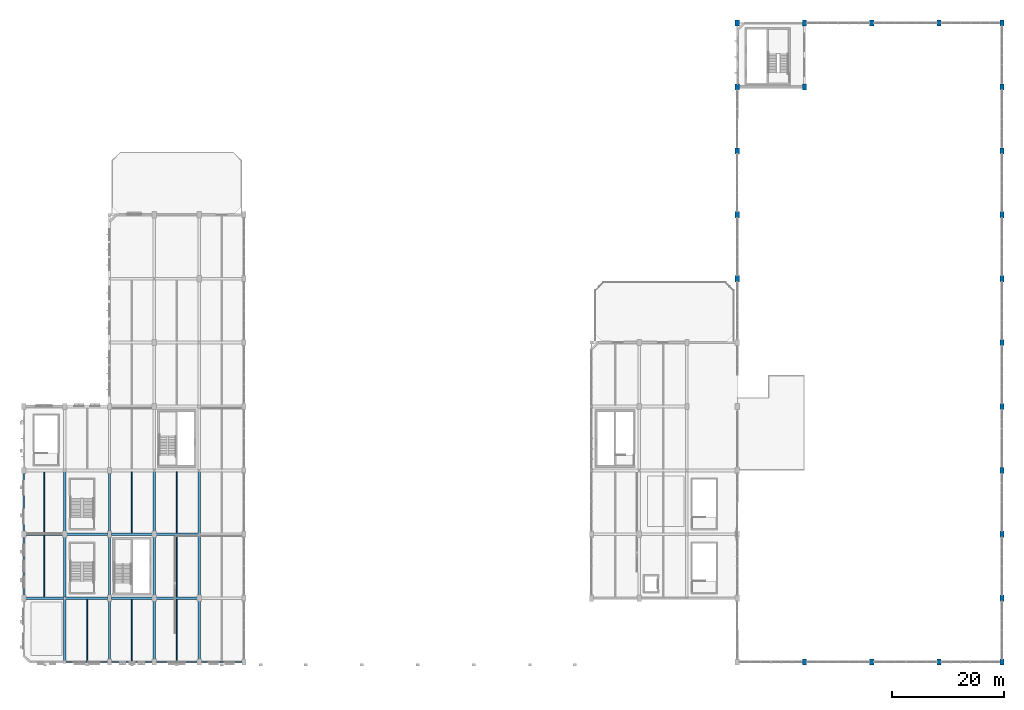
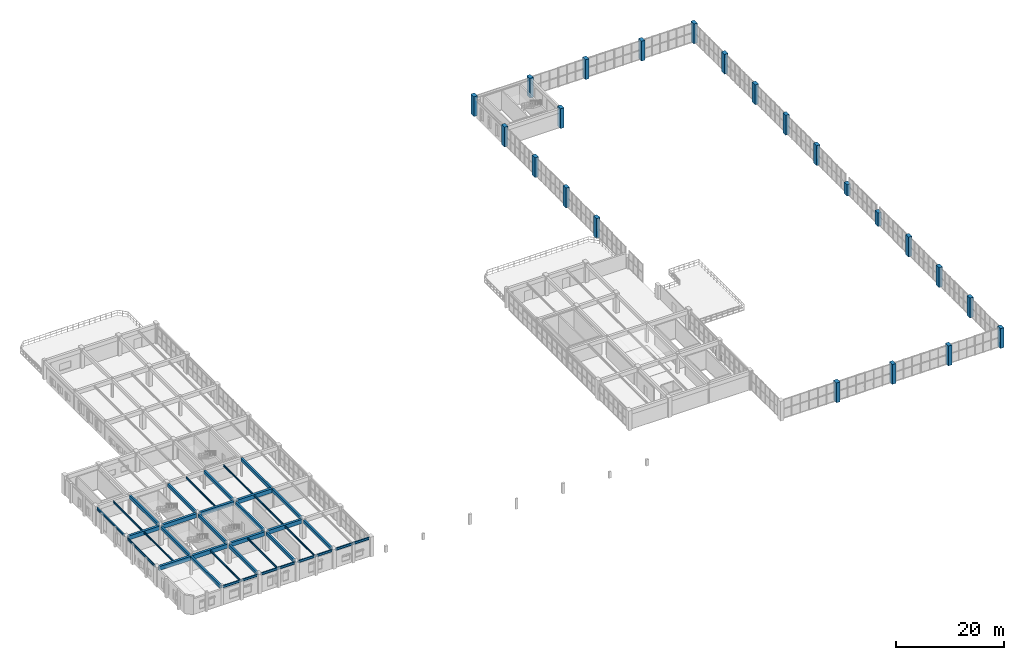
# One storey, part 9 of 80: 34 beams, 23 columns.
"""IFC4 building model written with IfcOpenShell, lengths in metres."""

from ifc_helpers import new_model, si_unit, direction, frame, origin, origin_2d, place, context, subcontext, project, spatial, rectangle, i_section, extrude, material, material_profile, profile_set, type_object, element, save


model = new_model("IFC4")

# Units and contexts
model_context = context("Model", 3, precision=1e-05, world=origin(), true_north=direction((0.0, 1.0)))
body_context = subcontext(model_context, "Body", "Model", "MODEL_VIEW")
ifc_project = project(units=[si_unit("LENGTHUNIT", "METRE"), si_unit("AREAUNIT", "SQUARE_METRE"), si_unit("VOLUMEUNIT", "CUBIC_METRE"), si_unit("PLANEANGLEUNIT", "RADIAN"), si_unit("MASSUNIT", "GRAM", prefix="KILO"), si_unit("POWERUNIT", "WATT"), si_unit("THERMODYNAMICTEMPERATUREUNIT", "KELVIN")], contexts=[model_context])

# Site, building, storey
site_placement = place(None, origin())
site = spatial("IfcSite", under=ifc_project, at=site_placement, CompositionType="ELEMENT")
building_placement = place(site_placement, origin())
building = spatial("IfcBuilding", under=site, at=building_placement, Name="Kelmbourne Parkland Aquatics Centre", CompositionType="ELEMENT")
storey_placement = place(building_placement, frame((0.0, 0.0, 10.199951171875)))
storey = spatial("IfcBuildingStorey", under=building, at=storey_placement, Name="L02", CompositionType="ELEMENT", Elevation=10.199951171875)

# Columns
ifc_material_1 = material(Name="Concrete C40/50", Category="concrete")
ifc_material_profile_1 = material_profile(ifc_material_1, rectangle(XDim=0.75, YDim=1.10009765625, at=origin_2d()), Name="RC 750x1100")
ifc_profile_set_1 = profile_set([ifc_material_profile_1], Name="Concrete C40/50")
column_type = type_object("IfcColumnType", Name="COL-C03", PredefinedType="COLUMN", material=ifc_profile_set_1)
column_1_placement = place(storey_placement, frame((128.0, 69.199951171875, 0.0), z_axis=(0.0, 0.0, 1.0), x_axis=(1.0, 0.0, 0.0)))
element("IfcColumn", 1, at=column_1_placement, inside=storey, type_object=column_type, Name="Structural column P-10 (L02)", PredefinedType="COLUMN", context=body_context, shape_type="SweptSolid", body=[
    extrude(rectangle(XDim=0.75, YDim=1.10009765625, at=origin_2d()), origin(), (0.0, 0.0, 1.0), 4.529541015625),
])
for number, where, z_axis, x_axis, name in (
    (2, (128.0, 80.60009765625, 0.0), (0.0, 0.0, 1.0), (1.0, 0.0, 0.0), "Structural column P-11 (L02)"),
    (3, (128.0, 92.0, 0.0), (0.0, 0.0, 1.0), (1.0, 0.0, 0.0), "Structural column P-12 (L02)"),
    (4, (128.0, 103.39990234375, 0.0), (0.0, 0.0, 1.0), (1.0, 0.0, 0.0), "Structural column P-13 (L02)"),
    (5, (128.0, 114.800048828125, 0.0), (0.0, 0.0, 1.0), (1.0, 0.0, 0.0), "Structural column P-14 (L02)"),
    (6, (140.0, 0.800048828125, 0.0), (0.0, 0.0, 1.0), (1.0, 0.0, 0.0), "Structural column Q-01 (L02)"),
    (7, (140.0, 103.39990234375, 0.0), (0.0, 0.0, 1.0), (1.0, 0.0, 0.0), "Structural column Q-13 (L02)"),
    (8, (140.0, 114.800048828125, 0.0), (0.0, 0.0, 1.0), (1.0, 0.0, 0.0), "Structural column Q-14 (L02)"),
    (9, (152.0, 0.800048828125, 0.0), (0.0, 0.0, 1.0), (1.0, 0.0, 0.0), "Structural column R-01 (L02)"),
    (10, (152.0, 114.800048828125, 0.0), (0.0, 0.0, 1.0), (1.0, 0.0, 0.0), "Structural column R-14 (L02)"),
    (11, (164.0, 0.800048828125, 0.0), (0.0, 0.0, 1.0), (1.0, 0.0, 0.0), "Structural column S-01 (L02)"),
    (12, (164.0, 114.800048828125, 0.0), (0.0, 0.0, 1.0), (1.0, 0.0, 0.0), "Structural column S-14 (L02)"),
    (13, (175.199951171875, 0.800048828125, 0.0), (0.0, 0.0, 1.0), (1.0, 0.0, 0.0), "Structural column T-01 (L02)"),
    (14, (175.199951171875, 12.199951171875, 0.0), (0.0, 0.0, 1.0), (1.0, 0.0, 0.0), "Structural column T-03 (L02)"),
    (15, (175.199951171875, 23.60009765625, 0.0), (0.0, 0.0, 1.0), (1.0, 0.0, 0.0), "Structural column T-04 (L02)"),
    (16, (175.199951171875, 35.0, 0.0), (0.0, 0.0, 1.0), (1.0, 0.0, 0.0), "Structural column T-05 (L02)"),
):
    element("IfcColumn", number, at=place(storey_placement, frame(where, z_axis=z_axis, x_axis=x_axis)), inside=storey, type_object=column_type, Name=name, PredefinedType="COLUMN", context=body_context, shape_type="SweptSolid", body=[
        extrude(rectangle(XDim=0.75, YDim=1.10009765625, at=origin_2d()), origin(), (0.0, 0.0, 1.0), 4.5),
    ])
column_2_placement = place(storey_placement, frame((175.199951171875, 46.39990234375, 0.0), z_axis=(0.0, 0.0, 1.0), x_axis=(1.0, 0.0, 0.0)))
element("IfcColumn", 17, at=column_2_placement, inside=storey, type_object=column_type, Name="Structural column T-06 (L02)", PredefinedType="COLUMN", context=body_context, shape_type="SweptSolid", body=[
    extrude(rectangle(XDim=0.75, YDim=1.10009765625, at=origin_2d()), origin(), (0.0, 0.0, 1.0), 3.05419921875),
])
column_3_placement = place(storey_placement, frame((175.199951171875, 57.800048828125, 0.0), z_axis=(0.0, 0.0, 1.0), x_axis=(1.0, 0.0, 0.0)))
element("IfcColumn", 18, at=column_3_placement, inside=storey, type_object=column_type, Name="Structural column T-08 (L02)", PredefinedType="COLUMN", context=body_context, shape_type="SweptSolid", body=[
    extrude(rectangle(XDim=0.75, YDim=1.10009765625, at=origin_2d()), origin(), (0.0, 0.0, 1.0), 2.58642578125),
])
column_4_placement = place(storey_placement, frame((175.199951171875, 69.199951171875, 0.0), z_axis=(0.0, 0.0, 1.0), x_axis=(1.0, 0.0, 0.0)))
element("IfcColumn", 19, at=column_4_placement, inside=storey, type_object=column_type, Name="Structural column T-10 (L02)", PredefinedType="COLUMN", context=body_context, shape_type="SweptSolid", body=[
    extrude(rectangle(XDim=0.75, YDim=1.10009765625, at=origin_2d()), origin(), (0.0, 0.0, 1.0), 4.529541015625),
])
for number, where, z_axis, x_axis, name in (
    (20, (175.199951171875, 80.60009765625, 0.0), (0.0, 0.0, 1.0), (1.0, 0.0, 0.0), "Structural column T-11 (L02)"),
    (21, (175.199951171875, 92.0, 0.0), (0.0, 0.0, 1.0), (1.0, 0.0, 0.0), "Structural column T-12 (L02)"),
    (22, (175.199951171875, 103.39990234375, 0.0), (0.0, 0.0, 1.0), (1.0, 0.0, 0.0), "Structural column T-13 (L02)"),
    (23, (175.199951171875, 114.800048828125, 0.0), (0.0, 0.0, 1.0), (1.0, 0.0, 0.0), "Structural column T-14 (L02)"),
):
    element("IfcColumn", number, at=place(storey_placement, frame(where, z_axis=z_axis, x_axis=x_axis)), inside=storey, type_object=column_type, Name=name, PredefinedType="COLUMN", context=body_context, shape_type="SweptSolid", body=[
        extrude(rectangle(XDim=0.75, YDim=1.10009765625, at=origin_2d()), origin(), (0.0, 0.0, 1.0), 4.5),
    ])

# Beams
ifc_material_profile_2 = material_profile(ifc_material_1, rectangle(XDim=0.5, YDim=0.89990234375, at=origin_2d()), Name="RC 500x900")
ifc_profile_set_2 = profile_set([ifc_material_profile_2], Name="Concrete C40/50")
beam_type_1 = type_object("IfcBeamType", Name="BM-G03", PredefinedType="BEAM", material=ifc_profile_set_2)
beam_1_placement = place(storey_placement, frame((1.030029296875, 12.199951171875, 3.81005859375), z_axis=(1.0, 0.0, 0.0), x_axis=(0.0, 1.0, 0.0)))
element("IfcBeam", 24, at=beam_1_placement, inside=storey, type_object=beam_type_1, Name="Primary girder A-B Grid 03 (L03)", PredefinedType="BEAM", context=body_context, shape_type="SweptSolid", body=[
    extrude(rectangle(XDim=0.5, YDim=0.89990234375, at=origin_2d()), origin(), (0.0, 0.0, 1.0), 6.7900390625),
])
beam_2_placement = place(storey_placement, frame((8.179931640625, 12.199951171875, 3.81005859375), z_axis=(1.0, 0.0, 0.0), x_axis=(0.0, 1.0, 0.0)))
element("IfcBeam", 25, at=beam_2_placement, inside=storey, type_object=beam_type_1, Name="Primary girder B-C Grid 03 (L03)", PredefinedType="BEAM", context=body_context, shape_type="SweptSolid", body=[
    extrude(rectangle(XDim=0.5, YDim=0.89990234375, at=origin_2d()), origin(), (0.0, 0.0, 1.0), 7.489990234375),
])
for number, where, z_axis, x_axis, name in (
    (26, (16.330078125, 12.199951171875, 3.81005859375), (1.0, 0.0, 0.0), (0.0, 1.0, 0.0), "Primary girder C-D Grid 03 (L03)"),
    (27, (24.330078125, 12.199951171875, 3.81005859375), (1.0, 0.0, 0.0), (0.0, 1.0, 0.0), "Primary girder D-E Grid 03 (L03)"),
):
    element("IfcBeam", number, at=place(storey_placement, frame(where, z_axis=z_axis, x_axis=x_axis)), inside=storey, type_object=beam_type_1, Name=name, PredefinedType="BEAM", context=body_context, shape_type="SweptSolid", body=[
        extrude(rectangle(XDim=0.5, YDim=0.89990234375, at=origin_2d()), origin(), (0.0, 0.0, 1.0), 7.33984375),
    ])
beam_3_placement = place(storey_placement, frame((1.030029296875, 23.60009765625, 3.81005859375), z_axis=(1.0, 0.0, 0.0), x_axis=(0.0, 1.0, 0.0)))
element("IfcBeam", 28, at=beam_3_placement, inside=storey, type_object=beam_type_1, Name="Primary girder A-B Grid 04 (L03)", PredefinedType="BEAM", context=body_context, shape_type="SweptSolid", body=[
    extrude(rectangle(XDim=0.5, YDim=0.89990234375, at=origin_2d()), origin(), (0.0, 0.0, 1.0), 6.639892578125),
])
for number, where, z_axis, x_axis, name in (
    (29, (8.330078125, 23.60009765625, 3.81005859375), (1.0, 0.0, 0.0), (0.0, 1.0, 0.0), "Primary girder B-C Grid 04 (L03)"),
    (30, (16.330078125, 23.60009765625, 3.81005859375), (1.0, 0.0, 0.0), (0.0, 1.0, 0.0), "Primary girder C-D Grid 04 (L03)"),
):
    element("IfcBeam", number, at=place(storey_placement, frame(where, z_axis=z_axis, x_axis=x_axis)), inside=storey, type_object=beam_type_1, Name=name, PredefinedType="BEAM", context=body_context, shape_type="SweptSolid", body=[
        extrude(rectangle(XDim=0.5, YDim=0.89990234375, at=origin_2d()), origin(), (0.0, 0.0, 1.0), 7.33984375),
    ])
beam_4_placement = place(storey_placement, frame((24.330078125, 23.60009765625, 3.81005859375), z_axis=(1.0, 0.0, 0.0), x_axis=(0.0, 1.0, 0.0)))
element("IfcBeam", 31, at=beam_4_placement, inside=storey, type_object=beam_type_1, Name="Primary girder D-E Grid 04 (L03)", PredefinedType="BEAM", context=body_context, shape_type="SweptSolid", body=[
    extrude(rectangle(XDim=0.5, YDim=0.89990234375, at=origin_2d()), origin(), (0.0, 0.0, 1.0), 7.56494140625),
])
ifc_material_profile_3 = material_profile(ifc_material_1, rectangle(XDim=0.39990234375, YDim=0.699951171875, at=origin_2d()), Name="RC 400x700")
ifc_profile_set_3 = profile_set([ifc_material_profile_3], Name="Concrete C40/50")
beam_type_2 = type_object("IfcBeamType", Name="BM-G05", PredefinedType="BEAM", material=ifc_profile_set_3)
beam_5_placement = place(storey_placement, frame((8.0, 1.030029296875, 3.91015625), z_axis=(0.0, 1.0, 0.0), x_axis=(-1.0, 0.0, 0.0)))
element("IfcBeam", 32, at=beam_5_placement, inside=storey, type_object=beam_type_2, Name="Primary girder 01-03 Grid B (L03)", PredefinedType="BEAM", context=body_context, shape_type="SweptSolid", body=[
    extrude(rectangle(XDim=0.39990234375, YDim=0.699951171875, at=origin_2d()), origin(), (0.0, 0.0, 1.0), 10.989990234375),
])
beam_6_placement = place(storey_placement, frame((8.0, 12.3798828125, 3.91015625), z_axis=(0.0, 1.0, 0.0), x_axis=(-1.0, 0.0, 0.0)))
element("IfcBeam", 33, at=beam_6_placement, inside=storey, type_object=beam_type_2, Name="Primary girder 03-04 Grid B (L03)", PredefinedType="BEAM", context=body_context, shape_type="SweptSolid", body=[
    extrude(rectangle(XDim=0.39990234375, YDim=0.699951171875, at=origin_2d()), origin(), (0.0, 0.0, 1.0), 10.715087890625),
])
beam_7_placement = place(storey_placement, frame((8.0, 24.10498046875, 3.91015625), z_axis=(0.0, 1.0, 0.0), x_axis=(-1.0, 0.0, 0.0)))
element("IfcBeam", 34, at=beam_7_placement, inside=storey, type_object=beam_type_2, Name="Primary girder 04-05 Grid B (L03)", PredefinedType="BEAM", context=body_context, shape_type="SweptSolid", body=[
    extrude(rectangle(XDim=0.39990234375, YDim=0.699951171875, at=origin_2d()), origin(), (0.0, 0.0, 1.0), 10.72412109375),
])
beam_8_placement = place(storey_placement, frame((16.0, 1.304931640625, 3.91015625), z_axis=(0.0, 1.0, 0.0), x_axis=(-1.0, 0.0, 0.0)))
element("IfcBeam", 35, at=beam_8_placement, inside=storey, type_object=beam_type_2, Name="Primary girder 01-03 Grid C (L03)", PredefinedType="BEAM", context=body_context, shape_type="SweptSolid", body=[
    extrude(rectangle(XDim=0.39990234375, YDim=0.699951171875, at=origin_2d()), origin(), (0.0, 0.0, 1.0), 10.39013671875),
])
beam_9_placement = place(storey_placement, frame((16.0, 12.705078125, 3.91015625), z_axis=(0.0, 1.0, 0.0), x_axis=(-1.0, 0.0, 0.0)))
element("IfcBeam", 36, at=beam_9_placement, inside=storey, type_object=beam_type_2, Name="Primary girder 03-04 Grid C (L03)", PredefinedType="BEAM", context=body_context, shape_type="SweptSolid", body=[
    extrude(rectangle(XDim=0.39990234375, YDim=0.699951171875, at=origin_2d()), origin(), (0.0, 0.0, 1.0), 10.389892578125),
])
for number, where, z_axis, x_axis, name in (
    (37, (16.0, 24.10498046875, 3.91015625), (0.0, 1.0, 0.0), (-1.0, 0.0, 0.0), "Primary girder 04-05 Grid C (L03)"),
    (38, (24.0, 1.304931640625, 3.91015625), (0.0, 1.0, 0.0), (-1.0, 0.0, 0.0), "Primary girder 01-03 Grid D (L03)"),
):
    element("IfcBeam", number, at=place(storey_placement, frame(where, z_axis=z_axis, x_axis=x_axis)), inside=storey, type_object=beam_type_2, Name=name, PredefinedType="BEAM", context=body_context, shape_type="SweptSolid", body=[
        extrude(rectangle(XDim=0.39990234375, YDim=0.699951171875, at=origin_2d()), origin(), (0.0, 0.0, 1.0), 10.39013671875),
    ])
beam_10_placement = place(storey_placement, frame((24.0, 12.705078125, 3.91015625), z_axis=(0.0, 1.0, 0.0), x_axis=(-1.0, 0.0, 0.0)))
element("IfcBeam", 39, at=beam_10_placement, inside=storey, type_object=beam_type_2, Name="Primary girder 03-04 Grid D (L03)", PredefinedType="BEAM", context=body_context, shape_type="SweptSolid", body=[
    extrude(rectangle(XDim=0.39990234375, YDim=0.699951171875, at=origin_2d()), origin(), (0.0, 0.0, 1.0), 10.389892578125),
])
beam_11_placement = place(storey_placement, frame((24.0, 24.10498046875, 3.91015625), z_axis=(0.0, 1.0, 0.0), x_axis=(-1.0, 0.0, 0.0)))
element("IfcBeam", 40, at=beam_11_placement, inside=storey, type_object=beam_type_2, Name="Primary girder 04-05 Grid D (L03)", PredefinedType="BEAM", context=body_context, shape_type="SweptSolid", body=[
    extrude(rectangle(XDim=0.39990234375, YDim=0.699951171875, at=origin_2d()), origin(), (0.0, 0.0, 1.0), 10.763916015625),
])
beam_12_placement = place(storey_placement, frame((32.0, 1.304931640625, 3.91015625), z_axis=(0.0, 1.0, 0.0), x_axis=(-1.0, 0.0, 0.0)))
element("IfcBeam", 41, at=beam_12_placement, inside=storey, type_object=beam_type_2, Name="Primary girder 01-03 Grid E (L03)", PredefinedType="BEAM", context=body_context, shape_type="SweptSolid", body=[
    extrude(rectangle(XDim=0.39990234375, YDim=0.699951171875, at=origin_2d()), origin(), (0.0, 0.0, 1.0), 10.39013671875),
])
beam_13_placement = place(storey_placement, frame((32.0, 12.705078125, 3.91015625), z_axis=(0.0, 1.0, 0.0), x_axis=(-1.0, 0.0, 0.0)))
element("IfcBeam", 42, at=beam_13_placement, inside=storey, type_object=beam_type_2, Name="Primary girder 03-04 Grid E (L03)", PredefinedType="BEAM", context=body_context, shape_type="SweptSolid", body=[
    extrude(rectangle(XDim=0.39990234375, YDim=0.699951171875, at=origin_2d()), origin(), (0.0, 0.0, 1.0), 10.7900390625),
])
beam_14_placement = place(storey_placement, frame((32.0, 23.705078125, 3.91015625), z_axis=(0.0, 1.0, 0.0), x_axis=(-1.0, 0.0, 0.0)))
element("IfcBeam", 43, at=beam_14_placement, inside=storey, type_object=beam_type_2, Name="Primary girder 04-05 Grid E (L03)", PredefinedType="BEAM", context=body_context, shape_type="SweptSolid", body=[
    extrude(rectangle(XDim=0.39990234375, YDim=0.699951171875, at=origin_2d()), origin(), (0.0, 0.0, 1.0), 11.21484375),
])
ifc_material_2 = material(Name="Structural steel AS/NZS 3679.1 Grade 300", Category="steel")
ifc_material_profile_4 = material_profile(ifc_material_2, i_section(OverallWidth=0.177978515625, OverallDepth=0.406005859375, WebThickness=0.0078125, FlangeThickness=0.0126953125, at=origin_2d()), Name="410UB59.7")
ifc_profile_set_4 = profile_set([ifc_material_profile_4], Name="Structural steel AS/NZS 3679.1 Grade 300")
beam_type_3 = type_object("IfcBeamType", Name="BM-J01", PredefinedType="JOIST", material=ifc_profile_set_4)
for number, where, z_axis, x_axis, name in (
    (44, (4.35009765625, 12.44189453125, 4.05712890625), (0.0, 1.0, 0.0), (-1.0, 0.0, 0.0), "Secondary floor joist A-B/03-04 #1 (L03)"),
    (45, (4.35009765625, 23.842041015625, 4.05712890625), (0.0, 1.0, 0.0), (-1.0, 0.0, 0.0), "Secondary floor joist A-B/04-05 #1 (L03)"),
):
    element("IfcBeam", number, at=place(storey_placement, frame(where, z_axis=z_axis, x_axis=x_axis)), inside=storey, type_object=beam_type_3, Name=name, PredefinedType="JOIST", context=body_context, shape_type="SweptSolid", body=[
        extrude(i_section(OverallWidth=0.177978515625, OverallDepth=0.406005859375, WebThickness=0.0078125, FlangeThickness=0.0126953125, at=origin_2d()), origin(), (0.0, 0.0, 1.0), 10.916015625),
    ])
for number, where, z_axis, x_axis, name in (
    (46, (12.0, 0.896484375, 4.05712890625), (0.0, 1.0, 0.0), (-1.0, 0.0, 0.0), "Secondary floor joist B-C/01-03 #1 (L03)"),
    (47, (20.0, 0.896484375, 4.05712890625), (0.0, 1.0, 0.0), (-1.0, 0.0, 0.0), "Secondary floor joist C-D/01-03 #1 (L03)"),
):
    element("IfcBeam", number, at=place(storey_placement, frame(where, z_axis=z_axis, x_axis=x_axis)), inside=storey, type_object=beam_type_3, Name=name, PredefinedType="JOIST", context=body_context, shape_type="SweptSolid", body=[
        extrude(i_section(OverallWidth=0.177978515625, OverallDepth=0.406005859375, WebThickness=0.0078125, FlangeThickness=0.0126953125, at=origin_2d()), origin(), (0.0, 0.0, 1.0), 11.0615234375),
    ])
beam_15_placement = place(storey_placement, frame((20.0, 23.842041015625, 4.05712890625), z_axis=(0.0, 1.0, 0.0), x_axis=(-1.0, 0.0, 0.0)))
element("IfcBeam", 48, at=beam_15_placement, inside=storey, type_object=beam_type_3, Name="Secondary floor joist C-D/04-05 #1 (L03)", PredefinedType="JOIST", context=body_context, shape_type="SweptSolid", body=[
    extrude(i_section(OverallWidth=0.177978515625, OverallDepth=0.406005859375, WebThickness=0.0078125, FlangeThickness=0.0126953125, at=origin_2d()), origin(), (0.0, 0.0, 1.0), 10.916015625),
])
beam_16_placement = place(storey_placement, frame((28.0, 0.896484375, 4.05712890625), z_axis=(0.0, 1.0, 0.0), x_axis=(-1.0, 0.0, 0.0)))
element("IfcBeam", 49, at=beam_16_placement, inside=storey, type_object=beam_type_3, Name="Secondary floor joist D-E/01-03 #1 (L03)", PredefinedType="JOIST", context=body_context, shape_type="SweptSolid", body=[
    extrude(i_section(OverallWidth=0.177978515625, OverallDepth=0.406005859375, WebThickness=0.0078125, FlangeThickness=0.0126953125, at=origin_2d()), origin(), (0.0, 0.0, 1.0), 11.0615234375),
])
for number, where, z_axis, x_axis, name in (
    (50, (28.0, 12.44189453125, 4.05712890625), (0.0, 1.0, 0.0), (-1.0, 0.0, 0.0), "Secondary floor joist D-E/03-04 #1 (L03)"),
    (51, (28.0, 23.842041015625, 4.05712890625), (0.0, 1.0, 0.0), (-1.0, 0.0, 0.0), "Secondary floor joist D-E/04-05 #1 (L03)"),
):
    element("IfcBeam", number, at=place(storey_placement, frame(where, z_axis=z_axis, x_axis=x_axis)), inside=storey, type_object=beam_type_3, Name=name, PredefinedType="JOIST", context=body_context, shape_type="SweptSolid", body=[
        extrude(i_section(OverallWidth=0.177978515625, OverallDepth=0.406005859375, WebThickness=0.0078125, FlangeThickness=0.0126953125, at=origin_2d()), origin(), (0.0, 0.0, 1.0), 10.916015625),
    ])
ifc_material_profile_5 = material_profile(ifc_material_2, i_section(OverallWidth=0.208984375, OverallDepth=0.532958984375, WebThickness=0.01025390625, FlangeThickness=0.015625, at=origin_2d()), Name="530UB92.4")
ifc_profile_set_5 = profile_set([ifc_material_profile_5], Name="Structural steel AS/NZS 3679.1 Grade 300")
beam_type_4 = type_object("IfcBeamType", Name="BM-SP02", PredefinedType="SPANDREL", material=ifc_profile_set_5)
beam_17_placement = place(storey_placement, frame((8.22998046875, 0.800048828125, 3.99365234375), z_axis=(1.0, 0.0, 0.0), x_axis=(0.0, 1.0, 0.0)))
element("IfcBeam", 52, at=beam_17_placement, inside=storey, type_object=beam_type_4, Name="Perimeter spandrel B-C Grid 01 (L03)", PredefinedType="SPANDREL", context=body_context, shape_type="SweptSolid", body=[
    extrude(i_section(OverallWidth=0.208984375, OverallDepth=0.532958984375, WebThickness=0.01025390625, FlangeThickness=0.015625, at=origin_2d()), origin(), (0.0, 0.0, 1.0), 7.43994140625),
])
for number, where, z_axis, x_axis, name in (
    (53, (16.330078125, 0.800048828125, 3.99365234375), (1.0, 0.0, 0.0), (0.0, 1.0, 0.0), "Perimeter spandrel C-D Grid 01 (L03)"),
    (54, (24.330078125, 0.800048828125, 3.99365234375), (1.0, 0.0, 0.0), (0.0, 1.0, 0.0), "Perimeter spandrel D-E Grid 01 (L03)"),
    (55, (32.330078125, 0.800048828125, 3.99365234375), (1.0, 0.0, 0.0), (0.0, 1.0, 0.0), "Perimeter spandrel E-F Grid 01 (L03)"),
):
    element("IfcBeam", number, at=place(storey_placement, frame(where, z_axis=z_axis, x_axis=x_axis)), inside=storey, type_object=beam_type_4, Name=name, PredefinedType="SPANDREL", context=body_context, shape_type="SweptSolid", body=[
        extrude(i_section(OverallWidth=0.208984375, OverallDepth=0.532958984375, WebThickness=0.01025390625, FlangeThickness=0.015625, at=origin_2d()), origin(), (0.0, 0.0, 1.0), 7.33984375),
    ])
beam_18_placement = place(storey_placement, frame((0.699951171875, 12.705078125, 3.99365234375), z_axis=(0.0, 1.0, 0.0), x_axis=(-1.0, 0.0, 0.0)))
element("IfcBeam", 56, at=beam_18_placement, inside=storey, type_object=beam_type_4, Name="Perimeter spandrel 03-04 Grid A (L03)", PredefinedType="SPANDREL", context=body_context, shape_type="SweptSolid", body=[
    extrude(i_section(OverallWidth=0.208984375, OverallDepth=0.532958984375, WebThickness=0.01025390625, FlangeThickness=0.015625, at=origin_2d()), origin(), (0.0, 0.0, 1.0), 10.389892578125),
])
beam_19_placement = place(storey_placement, frame((0.699951171875, 24.10498046875, 3.99365234375), z_axis=(0.0, 1.0, 0.0), x_axis=(-1.0, 0.0, 0.0)))
element("IfcBeam", 57, at=beam_19_placement, inside=storey, type_object=beam_type_4, Name="Perimeter spandrel 04-05 Grid A (L03)", PredefinedType="SPANDREL", context=body_context, shape_type="SweptSolid", body=[
    extrude(i_section(OverallWidth=0.208984375, OverallDepth=0.532958984375, WebThickness=0.01025390625, FlangeThickness=0.015625, at=origin_2d()), origin(), (0.0, 0.0, 1.0), 10.39013671875),
])

save(model, "model.ifc")
